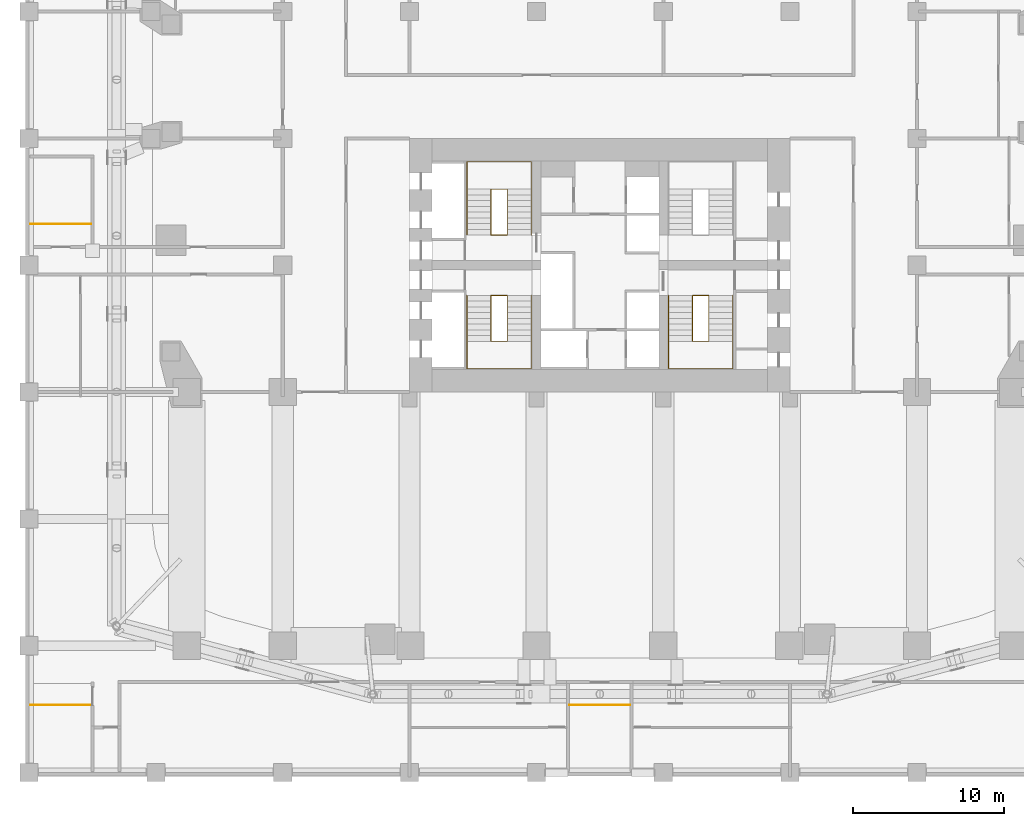
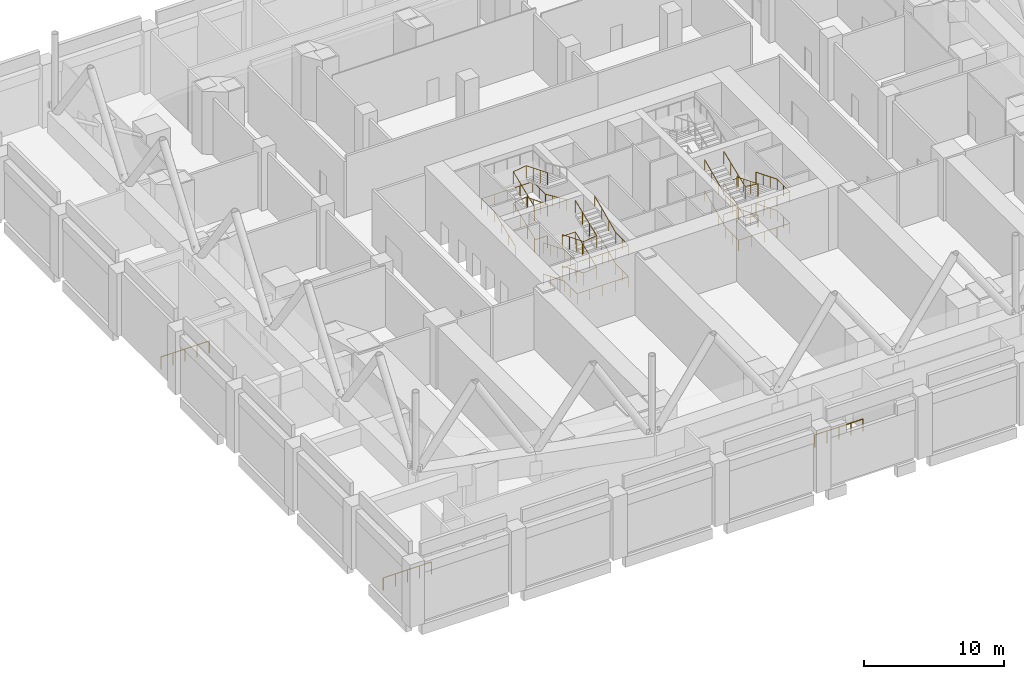
# One storey, part 16 of 17: 14 railings.
"""IFC4 building model written with IfcOpenShell, lengths in metres."""

from ifc_helpers import new_model, si_unit, direction, frame, origin, origin_2d, place, context, subcontext, project, spatial, circle, extrude, material, type_object, element, save


model = new_model("IFC4")

# Units and contexts
model_context = context("Model", 3, precision=1e-05, world=origin(), true_north=direction((0.0, 1.0)))
body_context = subcontext(model_context, "Body", "Model", "MODEL_VIEW")
ifc_project = project(units=[si_unit("LENGTHUNIT", "METRE"), si_unit("AREAUNIT", "SQUARE_METRE"), si_unit("VOLUMEUNIT", "CUBIC_METRE"), si_unit("PLANEANGLEUNIT", "RADIAN"), si_unit("MASSUNIT", "GRAM", prefix="KILO")], contexts=[model_context])

# Site, building, storey
site_placement = place(None, origin())
site = spatial("IfcSite", under=ifc_project, at=site_placement, CompositionType="ELEMENT")
building_placement = place(site_placement, origin())
building = spatial("IfcBuilding", under=site, at=building_placement, Name="Marenta Gate Hotel Tower", CompositionType="ELEMENT")
storey_placement = place(building_placement, frame((0.0, 0.0, 31.0)))
storey = spatial("IfcBuildingStorey", under=building, at=storey_placement, Name="L05", CompositionType="ELEMENT", Elevation=31.0)

# Railings
ifc_material_1 = material(Name="Stainless steel", Category="steel")
railing_type_1 = type_object("IfcRailingType", Name="Core stair handrail 950", PredefinedType="HANDRAIL", material=ifc_material_1)
railing_1_placement = place(storey_placement, frame((-8.800048828125, 6.39990234375, 0.15283203125)))
element("IfcRailing", 1, at=railing_1_placement, inside=storey, type_object=railing_type_1, Name="HR-950 L05-KR-ST1-1", PredefinedType="HANDRAIL", context=body_context, shape_type="SweptSolid", body=[
    extrude(circle(Radius=0.02392578125, at=origin_2d()), frame((0.0, 0.0, 0.92578125), z_axis=(0.0, -0.92781742481, 0.37303461799), x_axis=(1.0, 0.0, 0.0)), (0.0, 0.0, 1.0), 3.2763671875),
    extrude(circle(Radius=0.02392578125, at=origin_2d()), frame((0.0, -3.039794921875, 2.14794921875), z_axis=(0.0, -1.0, 0.0), x_axis=(1.0, 0.0, 0.0)), (0.0, 0.0, 1.0), 1.81005859375),
    extrude(circle(Radius=0.02392578125, at=origin_2d()), frame((0.0, -4.849853515625, 2.14794921875), z_axis=(1.0, 0.0, 0.0), x_axis=(0.0, 1.0, 0.0)), (0.0, 0.0, 1.0), 4.25),
    extrude(circle(Radius=0.02392578125, at=origin_2d()), frame((4.25, -4.849853515625, 2.14794921875), z_axis=(0.0, 1.0, 0.0), x_axis=(-1.0, 0.0, 0.0)), (0.0, 0.0, 1.0), 1.81005859375),
    extrude(circle(Radius=0.02392578125, at=origin_2d()), frame((4.25, -3.039794921875, 2.14794921875), z_axis=(0.0, 0.911124279287, 0.412131711585), x_axis=(-1.0, 0.0, 0.0)), (0.0, 0.0, 1.0), 3.33642578125),
    extrude(circle(Radius=0.02099609375, at=origin_2d()), origin(), (0.0, 0.0, 1.0), 0.90185546875),
    extrude(circle(Radius=0.02099609375, at=origin_2d()), frame((0.0, -1.01318359375, 0.407470703125)), (0.0, 0.0, 1.0), 0.90185546875),
    extrude(circle(Radius=0.02099609375, at=origin_2d()), frame((0.0, -2.026611328125, 0.814697265625)), (0.0, 0.0, 1.0), 0.90185546875),
    extrude(circle(Radius=0.02099609375, at=origin_2d()), frame((0.0, -3.039794921875, 1.22216796875)), (0.0, 0.0, 1.0), 0.90185546875),
    extrude(circle(Radius=0.02099609375, at=origin_2d()), frame((0.0, -3.94482421875, 1.22216796875)), (0.0, 0.0, 1.0), 0.90185546875),
    extrude(circle(Radius=0.02099609375, at=origin_2d()), frame((0.0, -4.849853515625, 1.22216796875)), (0.0, 0.0, 1.0), 0.90185546875),
    extrude(circle(Radius=0.02099609375, at=origin_2d()), frame((1.0625, -4.849853515625, 1.22216796875)), (0.0, 0.0, 1.0), 0.90185546875),
    extrude(circle(Radius=0.02099609375, at=origin_2d()), frame((2.125, -4.849853515625, 1.22216796875)), (0.0, 0.0, 1.0), 0.90185546875),
    extrude(circle(Radius=0.02099609375, at=origin_2d()), frame((3.1875, -4.849853515625, 1.22216796875)), (0.0, 0.0, 1.0), 0.90185546875),
    extrude(circle(Radius=0.02099609375, at=origin_2d()), frame((4.25, -4.849853515625, 1.22216796875)), (0.0, 0.0, 1.0), 0.90185546875),
    extrude(circle(Radius=0.02099609375, at=origin_2d()), frame((4.25, -3.94482421875, 1.22216796875)), (0.0, 0.0, 1.0), 0.90185546875),
    extrude(circle(Radius=0.02099609375, at=origin_2d()), frame((4.25, -3.039794921875, 1.22216796875)), (0.0, 0.0, 1.0), 0.90185546875),
    extrude(circle(Radius=0.02099609375, at=origin_2d()), frame((4.25, -2.026611328125, 1.680419921875)), (0.0, 0.0, 1.0), 0.90185546875),
    extrude(circle(Radius=0.02099609375, at=origin_2d()), frame((4.25, -1.01318359375, 2.138916015625)), (0.0, 0.0, 1.0), 0.90185546875),
    extrude(circle(Radius=0.02099609375, at=origin_2d()), frame((4.25, 0.0, 2.59716796875)), (0.0, 0.0, 1.0), 0.90185546875),
])
railing_2_placement = place(storey_placement, frame((-8.800048828125, 6.39990234375, 2.90283203125)))
element("IfcRailing", 2, at=railing_2_placement, inside=storey, type_object=railing_type_1, Name="HR-950 L05-KR-ST1-3", PredefinedType="HANDRAIL", context=body_context, shape_type="SweptSolid", body=[
    extrude(circle(Radius=0.02392578125, at=origin_2d()), frame((0.0, 0.0, 0.92578125), z_axis=(0.0, -0.92781742481, 0.37303461799), x_axis=(1.0, 0.0, 0.0)), (0.0, 0.0, 1.0), 3.2763671875),
    extrude(circle(Radius=0.02392578125, at=origin_2d()), frame((0.0, -3.039794921875, 2.14794921875), z_axis=(0.0, -1.0, 0.0), x_axis=(1.0, 0.0, 0.0)), (0.0, 0.0, 1.0), 1.81005859375),
    extrude(circle(Radius=0.02392578125, at=origin_2d()), frame((0.0, -4.849853515625, 2.14794921875), z_axis=(1.0, 0.0, 0.0), x_axis=(0.0, 1.0, 0.0)), (0.0, 0.0, 1.0), 4.25),
    extrude(circle(Radius=0.02392578125, at=origin_2d()), frame((4.25, -4.849853515625, 2.14794921875), z_axis=(0.0, 1.0, 0.0), x_axis=(-1.0, 0.0, 0.0)), (0.0, 0.0, 1.0), 1.81005859375),
    extrude(circle(Radius=0.02392578125, at=origin_2d()), frame((4.25, -3.039794921875, 2.14794921875), z_axis=(0.0, 0.911124279287, 0.412131711585), x_axis=(-1.0, 0.0, 0.0)), (0.0, 0.0, 1.0), 3.33642578125),
    extrude(circle(Radius=0.02099609375, at=origin_2d()), origin(), (0.0, 0.0, 1.0), 0.90185546875),
    extrude(circle(Radius=0.02099609375, at=origin_2d()), frame((0.0, -1.01318359375, 0.407470703125)), (0.0, 0.0, 1.0), 0.90185546875),
    extrude(circle(Radius=0.02099609375, at=origin_2d()), frame((0.0, -2.026611328125, 0.814697265625)), (0.0, 0.0, 1.0), 0.90185546875),
    extrude(circle(Radius=0.02099609375, at=origin_2d()), frame((0.0, -3.039794921875, 1.22216796875)), (0.0, 0.0, 1.0), 0.90185546875),
    extrude(circle(Radius=0.02099609375, at=origin_2d()), frame((0.0, -3.94482421875, 1.22216796875)), (0.0, 0.0, 1.0), 0.90185546875),
    extrude(circle(Radius=0.02099609375, at=origin_2d()), frame((0.0, -4.849853515625, 1.22216796875)), (0.0, 0.0, 1.0), 0.90185546875),
    extrude(circle(Radius=0.02099609375, at=origin_2d()), frame((1.0625, -4.849853515625, 1.22216796875)), (0.0, 0.0, 1.0), 0.90185546875),
    extrude(circle(Radius=0.02099609375, at=origin_2d()), frame((2.125, -4.849853515625, 1.22216796875)), (0.0, 0.0, 1.0), 0.90185546875),
    extrude(circle(Radius=0.02099609375, at=origin_2d()), frame((3.1875, -4.849853515625, 1.22216796875)), (0.0, 0.0, 1.0), 0.90185546875),
    extrude(circle(Radius=0.02099609375, at=origin_2d()), frame((4.25, -4.849853515625, 1.22216796875)), (0.0, 0.0, 1.0), 0.90185546875),
    extrude(circle(Radius=0.02099609375, at=origin_2d()), frame((4.25, -3.94482421875, 1.22216796875)), (0.0, 0.0, 1.0), 0.90185546875),
    extrude(circle(Radius=0.02099609375, at=origin_2d()), frame((4.25, -3.039794921875, 1.22216796875)), (0.0, 0.0, 1.0), 0.90185546875),
    extrude(circle(Radius=0.02099609375, at=origin_2d()), frame((4.25, -2.026611328125, 1.680419921875)), (0.0, 0.0, 1.0), 0.90185546875),
    extrude(circle(Radius=0.02099609375, at=origin_2d()), frame((4.25, -1.01318359375, 2.138916015625)), (0.0, 0.0, 1.0), 0.90185546875),
    extrude(circle(Radius=0.02099609375, at=origin_2d()), frame((4.25, 0.0, 2.59716796875)), (0.0, 0.0, 1.0), 0.90185546875),
])
railing_3_placement = place(storey_placement, frame((-8.800048828125, 10.39990234375, 0.15283203125)))
element("IfcRailing", 3, at=railing_3_placement, inside=storey, type_object=railing_type_1, Name="HR-950 L05-KR-ST2-1", PredefinedType="HANDRAIL", context=body_context, shape_type="SweptSolid", body=[
    extrude(circle(Radius=0.02392578125, at=origin_2d()), frame((0.0, 0.0, 0.92578125), z_axis=(0.0, 0.927827793205, 0.373008828524), x_axis=(-1.0, 0.0, 0.0)), (0.0, 0.0, 1.0), 3.276611328125),
    extrude(circle(Radius=0.02392578125, at=origin_2d()), frame((0.0, 3.0400390625, 2.14794921875), z_axis=(0.0, 1.0, 0.0), x_axis=(-1.0, 0.0, 0.0)), (0.0, 0.0, 1.0), 1.81005859375),
    extrude(circle(Radius=0.02392578125, at=origin_2d()), frame((0.0, 4.85009765625, 2.14794921875), z_axis=(1.0, 0.0, 0.0), x_axis=(0.0, 1.0, 0.0)), (0.0, 0.0, 1.0), 4.25),
    extrude(circle(Radius=0.02392578125, at=origin_2d()), frame((4.25, 4.85009765625, 2.14794921875), z_axis=(0.0, -1.0, 0.0), x_axis=(1.0, 0.0, 0.0)), (0.0, 0.0, 1.0), 1.81005859375),
    extrude(circle(Radius=0.02392578125, at=origin_2d()), frame((4.25, 3.0400390625, 2.14794921875), z_axis=(0.0, -0.911136707309, 0.412104235108), x_axis=(1.0, 0.0, 0.0)), (0.0, 0.0, 1.0), 3.33642578125),
    extrude(circle(Radius=0.02099609375, at=origin_2d()), origin(), (0.0, 0.0, 1.0), 0.90185546875),
    extrude(circle(Radius=0.02099609375, at=origin_2d()), frame((0.0, 1.013427734375, 0.407470703125)), (0.0, 0.0, 1.0), 0.90185546875),
    extrude(circle(Radius=0.02099609375, at=origin_2d()), frame((0.0, 2.026611328125, 0.814697265625)), (0.0, 0.0, 1.0), 0.90185546875),
    extrude(circle(Radius=0.02099609375, at=origin_2d()), frame((0.0, 3.0400390625, 1.22216796875)), (0.0, 0.0, 1.0), 0.90185546875),
    extrude(circle(Radius=0.02099609375, at=origin_2d()), frame((0.0, 3.945068359375, 1.22216796875)), (0.0, 0.0, 1.0), 0.90185546875),
    extrude(circle(Radius=0.02099609375, at=origin_2d()), frame((0.0, 4.85009765625, 1.22216796875)), (0.0, 0.0, 1.0), 0.90185546875),
    extrude(circle(Radius=0.02099609375, at=origin_2d()), frame((1.0625, 4.85009765625, 1.22216796875)), (0.0, 0.0, 1.0), 0.90185546875),
    extrude(circle(Radius=0.02099609375, at=origin_2d()), frame((2.125, 4.85009765625, 1.22216796875)), (0.0, 0.0, 1.0), 0.90185546875),
    extrude(circle(Radius=0.02099609375, at=origin_2d()), frame((3.1875, 4.85009765625, 1.22216796875)), (0.0, 0.0, 1.0), 0.90185546875),
    extrude(circle(Radius=0.02099609375, at=origin_2d()), frame((4.25, 4.85009765625, 1.22216796875)), (0.0, 0.0, 1.0), 0.90185546875),
    extrude(circle(Radius=0.02099609375, at=origin_2d()), frame((4.25, 3.945068359375, 1.22216796875)), (0.0, 0.0, 1.0), 0.90185546875),
    extrude(circle(Radius=0.02099609375, at=origin_2d()), frame((4.25, 3.0400390625, 1.22216796875)), (0.0, 0.0, 1.0), 0.90185546875),
    extrude(circle(Radius=0.02099609375, at=origin_2d()), frame((4.25, 2.026611328125, 1.680419921875)), (0.0, 0.0, 1.0), 0.90185546875),
    extrude(circle(Radius=0.02099609375, at=origin_2d()), frame((4.25, 1.013427734375, 2.138916015625)), (0.0, 0.0, 1.0), 0.90185546875),
    extrude(circle(Radius=0.02099609375, at=origin_2d()), frame((4.25, 0.0, 2.59716796875)), (0.0, 0.0, 1.0), 0.90185546875),
])
railing_4_placement = place(storey_placement, frame((8.800048828125, 6.39990234375, 0.15283203125)))
element("IfcRailing", 4, at=railing_4_placement, inside=storey, type_object=railing_type_1, Name="HR-950 L05-KR-ST3-1", PredefinedType="HANDRAIL", context=body_context, shape_type="SweptSolid", body=[
    extrude(circle(Radius=0.02392578125, at=origin_2d()), frame((0.0, 0.0, 0.92578125), z_axis=(0.0, -0.92781742481, 0.37303461799), x_axis=(1.0, 0.0, 0.0)), (0.0, 0.0, 1.0), 3.2763671875),
    extrude(circle(Radius=0.02392578125, at=origin_2d()), frame((0.0, -3.039794921875, 2.14794921875), z_axis=(0.0, -1.0, 0.0), x_axis=(1.0, 0.0, 0.0)), (0.0, 0.0, 1.0), 1.81005859375),
    extrude(circle(Radius=0.02392578125, at=origin_2d()), frame((0.0, -4.849853515625, 2.14794921875), z_axis=(-1.0, 0.0, 0.0), x_axis=(0.0, -1.0, 0.0)), (0.0, 0.0, 1.0), 4.25),
    extrude(circle(Radius=0.02392578125, at=origin_2d()), frame((-4.25, -4.849853515625, 2.14794921875), z_axis=(0.0, 1.0, 0.0), x_axis=(-1.0, 0.0, 0.0)), (0.0, 0.0, 1.0), 1.81005859375),
    extrude(circle(Radius=0.02392578125, at=origin_2d()), frame((-4.25, -3.039794921875, 2.14794921875), z_axis=(0.0, 0.911124279287, 0.412131711585), x_axis=(-1.0, 0.0, 0.0)), (0.0, 0.0, 1.0), 3.33642578125),
    extrude(circle(Radius=0.02099609375, at=origin_2d()), origin(), (0.0, 0.0, 1.0), 0.90185546875),
    extrude(circle(Radius=0.02099609375, at=origin_2d()), frame((0.0, -1.01318359375, 0.407470703125)), (0.0, 0.0, 1.0), 0.90185546875),
    extrude(circle(Radius=0.02099609375, at=origin_2d()), frame((0.0, -2.026611328125, 0.814697265625)), (0.0, 0.0, 1.0), 0.90185546875),
    extrude(circle(Radius=0.02099609375, at=origin_2d()), frame((0.0, -3.039794921875, 1.22216796875)), (0.0, 0.0, 1.0), 0.90185546875),
    extrude(circle(Radius=0.02099609375, at=origin_2d()), frame((0.0, -3.94482421875, 1.22216796875)), (0.0, 0.0, 1.0), 0.90185546875),
    extrude(circle(Radius=0.02099609375, at=origin_2d()), frame((0.0, -4.849853515625, 1.22216796875)), (0.0, 0.0, 1.0), 0.90185546875),
    extrude(circle(Radius=0.02099609375, at=origin_2d()), frame((-1.0625, -4.849853515625, 1.22216796875)), (0.0, 0.0, 1.0), 0.90185546875),
    extrude(circle(Radius=0.02099609375, at=origin_2d()), frame((-2.125, -4.849853515625, 1.22216796875)), (0.0, 0.0, 1.0), 0.90185546875),
    extrude(circle(Radius=0.02099609375, at=origin_2d()), frame((-3.1875, -4.849853515625, 1.22216796875)), (0.0, 0.0, 1.0), 0.90185546875),
    extrude(circle(Radius=0.02099609375, at=origin_2d()), frame((-4.25, -4.849853515625, 1.22216796875)), (0.0, 0.0, 1.0), 0.90185546875),
    extrude(circle(Radius=0.02099609375, at=origin_2d()), frame((-4.25, -3.94482421875, 1.22216796875)), (0.0, 0.0, 1.0), 0.90185546875),
    extrude(circle(Radius=0.02099609375, at=origin_2d()), frame((-4.25, -3.039794921875, 1.22216796875)), (0.0, 0.0, 1.0), 0.90185546875),
    extrude(circle(Radius=0.02099609375, at=origin_2d()), frame((-4.25, -2.026611328125, 1.680419921875)), (0.0, 0.0, 1.0), 0.90185546875),
    extrude(circle(Radius=0.02099609375, at=origin_2d()), frame((-4.25, -1.01318359375, 2.138916015625)), (0.0, 0.0, 1.0), 0.90185546875),
    extrude(circle(Radius=0.02099609375, at=origin_2d()), frame((-4.25, 0.0, 2.59716796875)), (0.0, 0.0, 1.0), 0.90185546875),
])
railing_5_placement = place(storey_placement, frame((8.800048828125, 6.39990234375, 2.90283203125)))
element("IfcRailing", 5, at=railing_5_placement, inside=storey, type_object=railing_type_1, Name="HR-950 L05-KR-ST3-3", PredefinedType="HANDRAIL", context=body_context, shape_type="SweptSolid", body=[
    extrude(circle(Radius=0.02392578125, at=origin_2d()), frame((0.0, 0.0, 0.92578125), z_axis=(0.0, -0.92781742481, 0.37303461799), x_axis=(1.0, 0.0, 0.0)), (0.0, 0.0, 1.0), 3.2763671875),
    extrude(circle(Radius=0.02392578125, at=origin_2d()), frame((0.0, -3.039794921875, 2.14794921875), z_axis=(0.0, -1.0, 0.0), x_axis=(1.0, 0.0, 0.0)), (0.0, 0.0, 1.0), 1.81005859375),
    extrude(circle(Radius=0.02392578125, at=origin_2d()), frame((0.0, -4.849853515625, 2.14794921875), z_axis=(-1.0, 0.0, 0.0), x_axis=(0.0, -1.0, 0.0)), (0.0, 0.0, 1.0), 4.25),
    extrude(circle(Radius=0.02392578125, at=origin_2d()), frame((-4.25, -4.849853515625, 2.14794921875), z_axis=(0.0, 1.0, 0.0), x_axis=(-1.0, 0.0, 0.0)), (0.0, 0.0, 1.0), 1.81005859375),
    extrude(circle(Radius=0.02392578125, at=origin_2d()), frame((-4.25, -3.039794921875, 2.14794921875), z_axis=(0.0, 0.911124279287, 0.412131711585), x_axis=(-1.0, 0.0, 0.0)), (0.0, 0.0, 1.0), 3.33642578125),
    extrude(circle(Radius=0.02099609375, at=origin_2d()), origin(), (0.0, 0.0, 1.0), 0.90185546875),
    extrude(circle(Radius=0.02099609375, at=origin_2d()), frame((0.0, -1.01318359375, 0.407470703125)), (0.0, 0.0, 1.0), 0.90185546875),
    extrude(circle(Radius=0.02099609375, at=origin_2d()), frame((0.0, -2.026611328125, 0.814697265625)), (0.0, 0.0, 1.0), 0.90185546875),
    extrude(circle(Radius=0.02099609375, at=origin_2d()), frame((0.0, -3.039794921875, 1.22216796875)), (0.0, 0.0, 1.0), 0.90185546875),
    extrude(circle(Radius=0.02099609375, at=origin_2d()), frame((0.0, -3.94482421875, 1.22216796875)), (0.0, 0.0, 1.0), 0.90185546875),
    extrude(circle(Radius=0.02099609375, at=origin_2d()), frame((0.0, -4.849853515625, 1.22216796875)), (0.0, 0.0, 1.0), 0.90185546875),
    extrude(circle(Radius=0.02099609375, at=origin_2d()), frame((-1.0625, -4.849853515625, 1.22216796875)), (0.0, 0.0, 1.0), 0.90185546875),
    extrude(circle(Radius=0.02099609375, at=origin_2d()), frame((-2.125, -4.849853515625, 1.22216796875)), (0.0, 0.0, 1.0), 0.90185546875),
    extrude(circle(Radius=0.02099609375, at=origin_2d()), frame((-3.1875, -4.849853515625, 1.22216796875)), (0.0, 0.0, 1.0), 0.90185546875),
    extrude(circle(Radius=0.02099609375, at=origin_2d()), frame((-4.25, -4.849853515625, 1.22216796875)), (0.0, 0.0, 1.0), 0.90185546875),
    extrude(circle(Radius=0.02099609375, at=origin_2d()), frame((-4.25, -3.94482421875, 1.22216796875)), (0.0, 0.0, 1.0), 0.90185546875),
    extrude(circle(Radius=0.02099609375, at=origin_2d()), frame((-4.25, -3.039794921875, 1.22216796875)), (0.0, 0.0, 1.0), 0.90185546875),
    extrude(circle(Radius=0.02099609375, at=origin_2d()), frame((-4.25, -2.026611328125, 1.680419921875)), (0.0, 0.0, 1.0), 0.90185546875),
    extrude(circle(Radius=0.02099609375, at=origin_2d()), frame((-4.25, -1.01318359375, 2.138916015625)), (0.0, 0.0, 1.0), 0.90185546875),
    extrude(circle(Radius=0.02099609375, at=origin_2d()), frame((-4.25, 0.0, 2.59716796875)), (0.0, 0.0, 1.0), 0.90185546875),
])
ifc_material_2 = material(Name="Stainless steel", Category="steel")
railing_type_2 = type_object("IfcRailingType", Name="Core stair well guard 1100", PredefinedType="GUARDRAIL", material=ifc_material_2)
railing_6_placement = place(storey_placement, frame((-6.139892578125, 6.39990234375, 0.0)))
element("IfcRailing", 6, at=railing_6_placement, inside=storey, type_object=railing_type_2, Name="GR-1100 L05-KR-ST1-2", PredefinedType="GUARDRAIL", context=body_context, shape_type="SweptSolid", body=[
    extrude(circle(Radius=0.02392578125, at=origin_2d()), frame((0.0, 0.0, 1.076171875), z_axis=(-1.0, 0.0, 0.0), x_axis=(0.0, -1.0, 0.0)), (0.0, 0.0, 1.0), 1.070068359375),
    extrude(circle(Radius=0.02392578125, at=origin_2d()), frame((-1.070068359375, 0.0, 1.076171875), z_axis=(0.0, 0.0, 1.0), x_axis=(1.0, 0.0, 0.0)), (0.0, 0.0, 1.0), 0.15283203125),
    extrude(circle(Radius=0.02392578125, at=origin_2d()), frame((-1.070068359375, 0.0, 1.22900390625), z_axis=(0.0, -0.92781742481, 0.37303461799), x_axis=(1.0, 0.0, 0.0)), (0.0, 0.0, 1.0), 3.2763671875),
    extrude(circle(Radius=0.02392578125, at=origin_2d()), frame((-1.070068359375, -3.039794921875, 2.451171875), z_axis=(0.9899540104, 0.0, 0.141389735458), x_axis=(0.0, 1.0, 0.0)), (0.0, 0.0, 1.0), 1.080810546875),
    extrude(circle(Radius=0.02392578125, at=origin_2d()), frame((0.0, -3.039794921875, 2.60400390625), z_axis=(0.0, 0.92781742481, 0.37303461799), x_axis=(-1.0, 0.0, 0.0)), (0.0, 0.0, 1.0), 3.2763671875),
    extrude(circle(Radius=0.02099609375, at=origin_2d()), origin(), (0.0, 0.0, 1.0), 1.052001953125),
    extrude(circle(Radius=0.02099609375, at=origin_2d()), frame((-1.070068359375, 0.0, 0.0)), (0.0, 0.0, 1.0), 1.052001953125),
    extrude(circle(Radius=0.02099609375, at=origin_2d()), frame((-1.070068359375, 0.0, 0.15283203125)), (0.0, 0.0, 1.0), 1.052001953125),
    extrude(circle(Radius=0.02099609375, at=origin_2d()), frame((-1.070068359375, -1.01318359375, 0.560302734375)), (0.0, 0.0, 1.0), 1.052001953125),
    extrude(circle(Radius=0.02099609375, at=origin_2d()), frame((-1.070068359375, -2.026611328125, 0.967529296875)), (0.0, 0.0, 1.0), 1.052001953125),
    extrude(circle(Radius=0.02099609375, at=origin_2d()), frame((-1.070068359375, -3.039794921875, 1.375)), (0.0, 0.0, 1.0), 1.052001953125),
    extrude(circle(Radius=0.02099609375, at=origin_2d()), frame((0.0, -3.039794921875, 1.52783203125)), (0.0, 0.0, 1.0), 1.052001953125),
    extrude(circle(Radius=0.02099609375, at=origin_2d()), frame((0.0, -2.026611328125, 1.935302734375)), (0.0, 0.0, 1.0), 1.052001953125),
    extrude(circle(Radius=0.02099609375, at=origin_2d()), frame((0.0, -1.01318359375, 2.342529296875)), (0.0, 0.0, 1.0), 1.052001953125),
    extrude(circle(Radius=0.02099609375, at=origin_2d()), frame((0.0, 0.0, 2.75)), (0.0, 0.0, 1.0), 1.052001953125),
])
railing_7_placement = place(storey_placement, frame((-6.139892578125, 6.39990234375, 2.75)))
element("IfcRailing", 7, at=railing_7_placement, inside=storey, type_object=railing_type_2, Name="GR-1100 L05-KR-ST1-4", PredefinedType="GUARDRAIL", context=body_context, shape_type="SweptSolid", body=[
    extrude(circle(Radius=0.02392578125, at=origin_2d()), frame((0.0, 0.0, 1.076171875), z_axis=(-1.0, 0.0, 0.0), x_axis=(0.0, -1.0, 0.0)), (0.0, 0.0, 1.0), 1.070068359375),
    extrude(circle(Radius=0.02392578125, at=origin_2d()), frame((-1.070068359375, 0.0, 1.076171875), z_axis=(0.0, 0.0, 1.0), x_axis=(1.0, 0.0, 0.0)), (0.0, 0.0, 1.0), 0.15283203125),
    extrude(circle(Radius=0.02392578125, at=origin_2d()), frame((-1.070068359375, 0.0, 1.22900390625), z_axis=(0.0, -0.92781742481, 0.37303461799), x_axis=(1.0, 0.0, 0.0)), (0.0, 0.0, 1.0), 3.2763671875),
    extrude(circle(Radius=0.02392578125, at=origin_2d()), frame((-1.070068359375, -3.039794921875, 2.451171875), z_axis=(0.9899540104, 0.0, 0.141389735458), x_axis=(0.0, 1.0, 0.0)), (0.0, 0.0, 1.0), 1.080810546875),
    extrude(circle(Radius=0.02392578125, at=origin_2d()), frame((0.0, -3.039794921875, 2.60400390625), z_axis=(0.0, 0.92781742481, 0.37303461799), x_axis=(-1.0, 0.0, 0.0)), (0.0, 0.0, 1.0), 3.2763671875),
    extrude(circle(Radius=0.02099609375, at=origin_2d()), origin(), (0.0, 0.0, 1.0), 1.052001953125),
    extrude(circle(Radius=0.02099609375, at=origin_2d()), frame((-1.070068359375, 0.0, 0.0)), (0.0, 0.0, 1.0), 1.052001953125),
    extrude(circle(Radius=0.02099609375, at=origin_2d()), frame((-1.070068359375, 0.0, 0.15283203125)), (0.0, 0.0, 1.0), 1.052001953125),
    extrude(circle(Radius=0.02099609375, at=origin_2d()), frame((-1.070068359375, -1.01318359375, 0.560302734375)), (0.0, 0.0, 1.0), 1.052001953125),
    extrude(circle(Radius=0.02099609375, at=origin_2d()), frame((-1.070068359375, -2.026611328125, 0.967529296875)), (0.0, 0.0, 1.0), 1.052001953125),
    extrude(circle(Radius=0.02099609375, at=origin_2d()), frame((-1.070068359375, -3.039794921875, 1.375)), (0.0, 0.0, 1.0), 1.052001953125),
    extrude(circle(Radius=0.02099609375, at=origin_2d()), frame((0.0, -3.039794921875, 1.52783203125)), (0.0, 0.0, 1.0), 1.052001953125),
    extrude(circle(Radius=0.02099609375, at=origin_2d()), frame((0.0, -2.026611328125, 1.935302734375)), (0.0, 0.0, 1.0), 1.052001953125),
    extrude(circle(Radius=0.02099609375, at=origin_2d()), frame((0.0, -1.01318359375, 2.342529296875)), (0.0, 0.0, 1.0), 1.052001953125),
    extrude(circle(Radius=0.02099609375, at=origin_2d()), frame((0.0, 0.0, 2.75)), (0.0, 0.0, 1.0), 1.052001953125),
])
railing_8_placement = place(storey_placement, frame((-6.139892578125, 10.39990234375, 0.0)))
element("IfcRailing", 8, at=railing_8_placement, inside=storey, type_object=railing_type_2, Name="GR-1100 L05-KR-ST2-2", PredefinedType="GUARDRAIL", context=body_context, shape_type="SweptSolid", body=[
    extrude(circle(Radius=0.02392578125, at=origin_2d()), frame((0.0, 0.0, 1.076171875), z_axis=(-1.0, 0.0, 0.0), x_axis=(0.0, -1.0, 0.0)), (0.0, 0.0, 1.0), 1.070068359375),
    extrude(circle(Radius=0.02392578125, at=origin_2d()), frame((-1.070068359375, 0.0, 1.076171875), z_axis=(0.0, 0.0, 1.0), x_axis=(1.0, 0.0, 0.0)), (0.0, 0.0, 1.0), 0.15283203125),
    extrude(circle(Radius=0.02392578125, at=origin_2d()), frame((-1.070068359375, 0.0, 1.22900390625), z_axis=(0.0, 0.927827793205, 0.373008828524), x_axis=(-1.0, 0.0, 0.0)), (0.0, 0.0, 1.0), 3.276611328125),
    extrude(circle(Radius=0.02392578125, at=origin_2d()), frame((-1.070068359375, 3.0400390625, 2.451171875), z_axis=(0.9899540104, 0.0, 0.141389735458), x_axis=(0.0, 1.0, 0.0)), (0.0, 0.0, 1.0), 1.080810546875),
    extrude(circle(Radius=0.02392578125, at=origin_2d()), frame((0.0, 3.0400390625, 2.60400390625), z_axis=(0.0, -0.927827793205, 0.373008828524), x_axis=(1.0, 0.0, 0.0)), (0.0, 0.0, 1.0), 3.276611328125),
    extrude(circle(Radius=0.02099609375, at=origin_2d()), origin(), (0.0, 0.0, 1.0), 1.052001953125),
    extrude(circle(Radius=0.02099609375, at=origin_2d()), frame((-1.070068359375, 0.0, 0.0)), (0.0, 0.0, 1.0), 1.052001953125),
    extrude(circle(Radius=0.02099609375, at=origin_2d()), frame((-1.070068359375, 0.0, 0.15283203125)), (0.0, 0.0, 1.0), 1.052001953125),
    extrude(circle(Radius=0.02099609375, at=origin_2d()), frame((-1.070068359375, 1.013427734375, 0.560302734375)), (0.0, 0.0, 1.0), 1.052001953125),
    extrude(circle(Radius=0.02099609375, at=origin_2d()), frame((-1.070068359375, 2.026611328125, 0.967529296875)), (0.0, 0.0, 1.0), 1.052001953125),
    extrude(circle(Radius=0.02099609375, at=origin_2d()), frame((-1.070068359375, 3.0400390625, 1.375)), (0.0, 0.0, 1.0), 1.052001953125),
    extrude(circle(Radius=0.02099609375, at=origin_2d()), frame((0.0, 3.0400390625, 1.52783203125)), (0.0, 0.0, 1.0), 1.052001953125),
    extrude(circle(Radius=0.02099609375, at=origin_2d()), frame((0.0, 2.026611328125, 1.935302734375)), (0.0, 0.0, 1.0), 1.052001953125),
    extrude(circle(Radius=0.02099609375, at=origin_2d()), frame((0.0, 1.013427734375, 2.342529296875)), (0.0, 0.0, 1.0), 1.052001953125),
    extrude(circle(Radius=0.02099609375, at=origin_2d()), frame((0.0, 0.0, 2.75)), (0.0, 0.0, 1.0), 1.052001953125),
])
railing_9_placement = place(storey_placement, frame((-6.139892578125, 10.39990234375, 2.75)))
element("IfcRailing", 9, at=railing_9_placement, inside=storey, type_object=railing_type_2, Name="GR-1100 L05-KR-ST2-4", PredefinedType="GUARDRAIL", context=body_context, shape_type="SweptSolid", body=[
    extrude(circle(Radius=0.02392578125, at=origin_2d()), frame((0.0, 0.0, 1.076171875), z_axis=(-1.0, 0.0, 0.0), x_axis=(0.0, -1.0, 0.0)), (0.0, 0.0, 1.0), 1.070068359375),
    extrude(circle(Radius=0.02392578125, at=origin_2d()), frame((-1.070068359375, 0.0, 1.076171875), z_axis=(0.0, 0.0, 1.0), x_axis=(1.0, 0.0, 0.0)), (0.0, 0.0, 1.0), 0.15283203125),
    extrude(circle(Radius=0.02392578125, at=origin_2d()), frame((-1.070068359375, 0.0, 1.22900390625), z_axis=(0.0, 0.927827793205, 0.373008828524), x_axis=(-1.0, 0.0, 0.0)), (0.0, 0.0, 1.0), 3.276611328125),
    extrude(circle(Radius=0.02392578125, at=origin_2d()), frame((-1.070068359375, 3.0400390625, 2.451171875), z_axis=(0.9899540104, 0.0, 0.141389735458), x_axis=(0.0, 1.0, 0.0)), (0.0, 0.0, 1.0), 1.080810546875),
    extrude(circle(Radius=0.02392578125, at=origin_2d()), frame((0.0, 3.0400390625, 2.60400390625), z_axis=(0.0, -0.927827793205, 0.373008828524), x_axis=(1.0, 0.0, 0.0)), (0.0, 0.0, 1.0), 3.276611328125),
    extrude(circle(Radius=0.02099609375, at=origin_2d()), origin(), (0.0, 0.0, 1.0), 1.052001953125),
    extrude(circle(Radius=0.02099609375, at=origin_2d()), frame((-1.070068359375, 0.0, 0.0)), (0.0, 0.0, 1.0), 1.052001953125),
    extrude(circle(Radius=0.02099609375, at=origin_2d()), frame((-1.070068359375, 0.0, 0.15283203125)), (0.0, 0.0, 1.0), 1.052001953125),
    extrude(circle(Radius=0.02099609375, at=origin_2d()), frame((-1.070068359375, 1.013427734375, 0.560302734375)), (0.0, 0.0, 1.0), 1.052001953125),
    extrude(circle(Radius=0.02099609375, at=origin_2d()), frame((-1.070068359375, 2.026611328125, 0.967529296875)), (0.0, 0.0, 1.0), 1.052001953125),
    extrude(circle(Radius=0.02099609375, at=origin_2d()), frame((-1.070068359375, 3.0400390625, 1.375)), (0.0, 0.0, 1.0), 1.052001953125),
    extrude(circle(Radius=0.02099609375, at=origin_2d()), frame((0.0, 3.0400390625, 1.52783203125)), (0.0, 0.0, 1.0), 1.052001953125),
    extrude(circle(Radius=0.02099609375, at=origin_2d()), frame((0.0, 2.026611328125, 1.935302734375)), (0.0, 0.0, 1.0), 1.052001953125),
    extrude(circle(Radius=0.02099609375, at=origin_2d()), frame((0.0, 1.013427734375, 2.342529296875)), (0.0, 0.0, 1.0), 1.052001953125),
    extrude(circle(Radius=0.02099609375, at=origin_2d()), frame((0.0, 0.0, 2.75)), (0.0, 0.0, 1.0), 1.052001953125),
])
railing_10_placement = place(storey_placement, frame((6.139892578125, 6.39990234375, 0.0)))
element("IfcRailing", 10, at=railing_10_placement, inside=storey, type_object=railing_type_2, Name="GR-1100 L05-KR-ST3-2", PredefinedType="GUARDRAIL", context=body_context, shape_type="SweptSolid", body=[
    extrude(circle(Radius=0.02392578125, at=origin_2d()), frame((0.0, 0.0, 1.076171875), z_axis=(1.0, 0.0, 0.0), x_axis=(0.0, 1.0, 0.0)), (0.0, 0.0, 1.0), 1.070068359375),
    extrude(circle(Radius=0.02392578125, at=origin_2d()), frame((1.070068359375, 0.0, 1.076171875), z_axis=(0.0, 0.0, 1.0), x_axis=(1.0, 0.0, 0.0)), (0.0, 0.0, 1.0), 0.15283203125),
    extrude(circle(Radius=0.02392578125, at=origin_2d()), frame((1.070068359375, 0.0, 1.22900390625), z_axis=(0.0, -0.92781742481, 0.37303461799), x_axis=(1.0, 0.0, 0.0)), (0.0, 0.0, 1.0), 3.2763671875),
    extrude(circle(Radius=0.02392578125, at=origin_2d()), frame((1.070068359375, -3.039794921875, 2.451171875), z_axis=(-0.9899540104, 0.0, 0.141389735458), x_axis=(0.0, -1.0, 0.0)), (0.0, 0.0, 1.0), 1.080810546875),
    extrude(circle(Radius=0.02392578125, at=origin_2d()), frame((0.0, -3.039794921875, 2.60400390625), z_axis=(0.0, 0.92781742481, 0.37303461799), x_axis=(-1.0, 0.0, 0.0)), (0.0, 0.0, 1.0), 3.2763671875),
    extrude(circle(Radius=0.02099609375, at=origin_2d()), origin(), (0.0, 0.0, 1.0), 1.052001953125),
    extrude(circle(Radius=0.02099609375, at=origin_2d()), frame((1.070068359375, 0.0, 0.0)), (0.0, 0.0, 1.0), 1.052001953125),
    extrude(circle(Radius=0.02099609375, at=origin_2d()), frame((1.070068359375, 0.0, 0.15283203125)), (0.0, 0.0, 1.0), 1.052001953125),
    extrude(circle(Radius=0.02099609375, at=origin_2d()), frame((1.070068359375, -1.01318359375, 0.560302734375)), (0.0, 0.0, 1.0), 1.052001953125),
    extrude(circle(Radius=0.02099609375, at=origin_2d()), frame((1.070068359375, -2.026611328125, 0.967529296875)), (0.0, 0.0, 1.0), 1.052001953125),
    extrude(circle(Radius=0.02099609375, at=origin_2d()), frame((1.070068359375, -3.039794921875, 1.375)), (0.0, 0.0, 1.0), 1.052001953125),
    extrude(circle(Radius=0.02099609375, at=origin_2d()), frame((0.0, -3.039794921875, 1.52783203125)), (0.0, 0.0, 1.0), 1.052001953125),
    extrude(circle(Radius=0.02099609375, at=origin_2d()), frame((0.0, -2.026611328125, 1.935302734375)), (0.0, 0.0, 1.0), 1.052001953125),
    extrude(circle(Radius=0.02099609375, at=origin_2d()), frame((0.0, -1.01318359375, 2.342529296875)), (0.0, 0.0, 1.0), 1.052001953125),
    extrude(circle(Radius=0.02099609375, at=origin_2d()), frame((0.0, 0.0, 2.75)), (0.0, 0.0, 1.0), 1.052001953125),
])
railing_11_placement = place(storey_placement, frame((6.139892578125, 6.39990234375, 2.75)))
element("IfcRailing", 11, at=railing_11_placement, inside=storey, type_object=railing_type_2, Name="GR-1100 L05-KR-ST3-4", PredefinedType="GUARDRAIL", context=body_context, shape_type="SweptSolid", body=[
    extrude(circle(Radius=0.02392578125, at=origin_2d()), frame((0.0, 0.0, 1.076171875), z_axis=(1.0, 0.0, 0.0), x_axis=(0.0, 1.0, 0.0)), (0.0, 0.0, 1.0), 1.070068359375),
    extrude(circle(Radius=0.02392578125, at=origin_2d()), frame((1.070068359375, 0.0, 1.076171875), z_axis=(0.0, 0.0, 1.0), x_axis=(1.0, 0.0, 0.0)), (0.0, 0.0, 1.0), 0.15283203125),
    extrude(circle(Radius=0.02392578125, at=origin_2d()), frame((1.070068359375, 0.0, 1.22900390625), z_axis=(0.0, -0.92781742481, 0.37303461799), x_axis=(1.0, 0.0, 0.0)), (0.0, 0.0, 1.0), 3.2763671875),
    extrude(circle(Radius=0.02392578125, at=origin_2d()), frame((1.070068359375, -3.039794921875, 2.451171875), z_axis=(-0.9899540104, 0.0, 0.141389735458), x_axis=(0.0, -1.0, 0.0)), (0.0, 0.0, 1.0), 1.080810546875),
    extrude(circle(Radius=0.02392578125, at=origin_2d()), frame((0.0, -3.039794921875, 2.60400390625), z_axis=(0.0, 0.92781742481, 0.37303461799), x_axis=(-1.0, 0.0, 0.0)), (0.0, 0.0, 1.0), 3.2763671875),
    extrude(circle(Radius=0.02099609375, at=origin_2d()), origin(), (0.0, 0.0, 1.0), 1.052001953125),
    extrude(circle(Radius=0.02099609375, at=origin_2d()), frame((1.070068359375, 0.0, 0.0)), (0.0, 0.0, 1.0), 1.052001953125),
    extrude(circle(Radius=0.02099609375, at=origin_2d()), frame((1.070068359375, 0.0, 0.15283203125)), (0.0, 0.0, 1.0), 1.052001953125),
    extrude(circle(Radius=0.02099609375, at=origin_2d()), frame((1.070068359375, -1.01318359375, 0.560302734375)), (0.0, 0.0, 1.0), 1.052001953125),
    extrude(circle(Radius=0.02099609375, at=origin_2d()), frame((1.070068359375, -2.026611328125, 0.967529296875)), (0.0, 0.0, 1.0), 1.052001953125),
    extrude(circle(Radius=0.02099609375, at=origin_2d()), frame((1.070068359375, -3.039794921875, 1.375)), (0.0, 0.0, 1.0), 1.052001953125),
    extrude(circle(Radius=0.02099609375, at=origin_2d()), frame((0.0, -3.039794921875, 1.52783203125)), (0.0, 0.0, 1.0), 1.052001953125),
    extrude(circle(Radius=0.02099609375, at=origin_2d()), frame((0.0, -2.026611328125, 1.935302734375)), (0.0, 0.0, 1.0), 1.052001953125),
    extrude(circle(Radius=0.02099609375, at=origin_2d()), frame((0.0, -1.01318359375, 2.342529296875)), (0.0, 0.0, 1.0), 1.052001953125),
    extrude(circle(Radius=0.02099609375, at=origin_2d()), frame((0.0, 0.0, 2.75)), (0.0, 0.0, 1.0), 1.052001953125),
])
for number, where, name in (
    (12, (-37.699951171875, -20.72998046875, 0.0), "GR-1100 L05-KR-PX1-1"),
    (13, (-2.0, -20.72998046875, 0.0), "GR-1100 L05-KR-PX5-1"),
    (14, (-37.699951171875, 11.1298828125, 0.0), "GR-1100 L05-KR-PX6-1"),
):
    element("IfcRailing", number, at=place(storey_placement, frame(where)), inside=storey, type_object=railing_type_2, Name=name, PredefinedType="GUARDRAIL", context=body_context, shape_type="SweptSolid", body=[
        extrude(circle(Radius=0.02392578125, at=origin_2d()), frame((0.0, 0.0, 1.076171875), z_axis=(1.0, 0.0, 0.0), x_axis=(0.0, 1.0, 0.0)), (0.0, 0.0, 1.0), 4.0),
        extrude(circle(Radius=0.02099609375, at=origin_2d()), origin(), (0.0, 0.0, 1.0), 1.052001953125),
        extrude(circle(Radius=0.02099609375, at=origin_2d()), frame((1.0, 0.0, 0.0)), (0.0, 0.0, 1.0), 1.052001953125),
        extrude(circle(Radius=0.02099609375, at=origin_2d()), frame((2.0, 0.0, 0.0)), (0.0, 0.0, 1.0), 1.052001953125),
        extrude(circle(Radius=0.02099609375, at=origin_2d()), frame((3.0, 0.0, 0.0)), (0.0, 0.0, 1.0), 1.052001953125),
        extrude(circle(Radius=0.02099609375, at=origin_2d()), frame((4.0, 0.0, 0.0)), (0.0, 0.0, 1.0), 1.052001953125),
    ])

save(model, "model.ifc")
